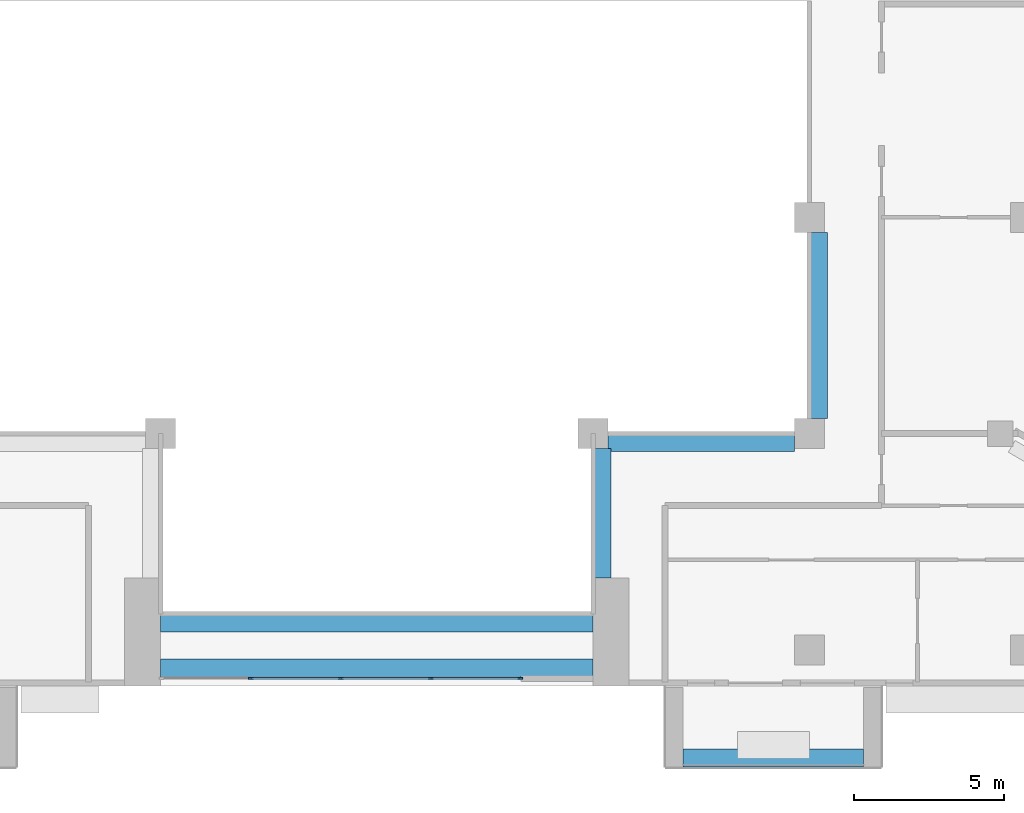
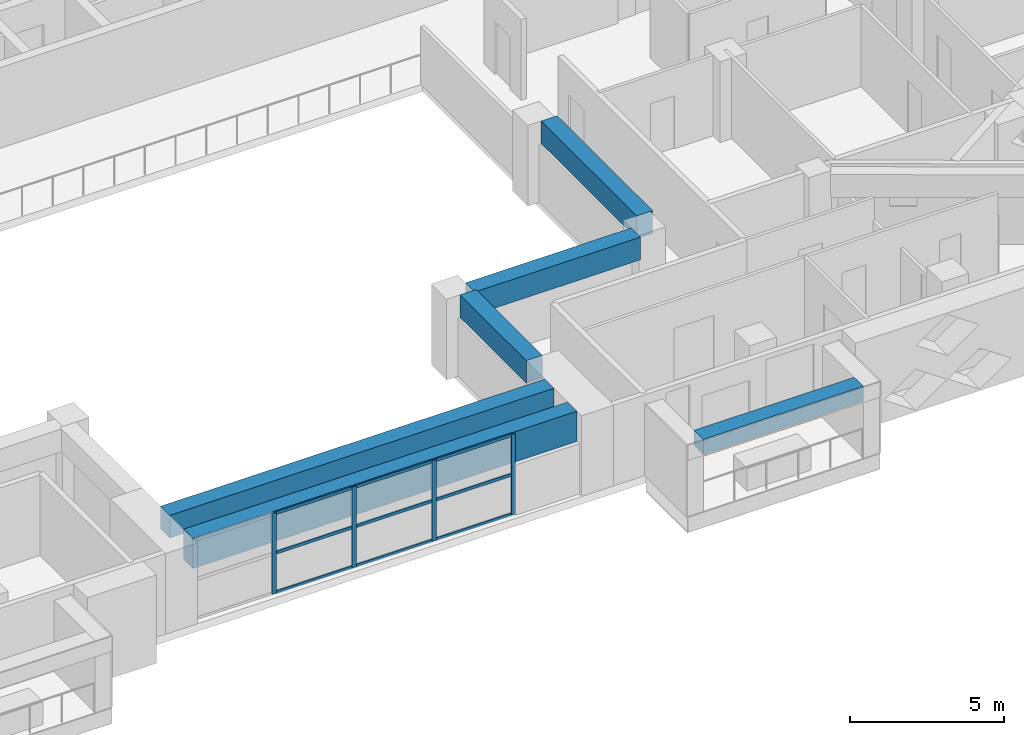
# One storey, part 4 of 20: 13 members, 6 beams, 1 element without a shape of its own.
"""IFC4 building model written with IfcOpenShell, lengths in metres."""

from ifc_helpers import new_model, si_unit, direction, frame, origin, origin_2d, place, context, subcontext, project, spatial, rectangle, extrude, source, transform, mapped, material, layer, layer_set, material_profile, profile_set, type_object, element, aggregate, save


model = new_model("IFC4")

# Units and contexts
model_context = context("Model", 3, precision=1e-05, world=origin(), true_north=direction((0.0, 1.0)))
body_context = subcontext(model_context, "Body", "Model", "MODEL_VIEW")
ifc_project = project(units=[si_unit("LENGTHUNIT", "METRE"), si_unit("AREAUNIT", "SQUARE_METRE"), si_unit("VOLUMEUNIT", "CUBIC_METRE"), si_unit("PLANEANGLEUNIT", "RADIAN"), si_unit("MASSUNIT", "GRAM", prefix="KILO")], contexts=[model_context])

# Site, building, storey
site_placement = place(None, origin())
site = spatial("IfcSite", under=ifc_project, at=site_placement, CompositionType="ELEMENT")
building_placement = place(site_placement, origin())
building = spatial("IfcBuilding", under=site, at=building_placement, Name="Saffron Iwan Residences", CompositionType="ELEMENT")
storey_placement = place(building_placement, frame((0.0, 0.0, 153.5)))
storey = spatial("IfcBuildingStorey", under=building, at=storey_placement, Name="L40", CompositionType="ELEMENT", Elevation=153.5)

# Beams
ifc_material_1 = material(Name="Concrete C50/60", Category="concrete")
ifc_material_profile_1 = material_profile(ifc_material_1, rectangle(XDim=0.60009765625, YDim=1.199951171875, at=origin_2d()), Name="RC 600x1200")
ifc_profile_set_1 = profile_set([ifc_material_profile_1], Name="Concrete C50/60")
beam_type_1 = type_object("IfcBeamType", Name="LINTEL BEAM RC 600x1200 C50/60 TOP 3200", PredefinedType="LINTEL", material=ifc_profile_set_1)
shared_shape_1 = source(origin(), body_context, "Body", "SweptSolid", [
    extrude(rectangle(XDim=0.60009765625, YDim=1.199951171875, at=origin_2d()), origin(), (0.0, 0.0, 1.0), 14.400146484375),
])
beam_1_placement = place(storey_placement, frame((57.60009765625, 40.199951171875, 2.60009765625), z_axis=(-1.0, 0.0, 0.0), x_axis=(0.0, -1.0, 0.0)))
element("IfcBeam", 1, at=beam_1_placement, inside=storey, type_object=beam_type_1, Name="Lintel beam over the iwan", PredefinedType="LINTEL", context=body_context, shape_type="MappedRepresentation", body=[
    mapped(shared_shape_1, transform((0.0, 0.0, 0.0))),
])
ifc_material_profile_2 = material_profile(ifc_material_1, rectangle(XDim=0.60009765625, YDim=0.89990234375, at=origin_2d()), Name="RC 600x900")
ifc_profile_set_2 = profile_set([ifc_material_profile_2], Name="Concrete C50/60")
beam_type_2 = type_object("IfcBeamType", Name="BEAM RC 600x900 C50/60 TOP 3200", PredefinedType="BEAM", material=ifc_profile_set_2)
shared_shape_2 = source(origin(), body_context, "Body", "SweptSolid", [
    extrude(rectangle(XDim=0.60009765625, YDim=0.89990234375, at=origin_2d()), origin(), (0.0, 0.0, 1.0), 14.400146484375),
])
beam_2_placement = place(storey_placement, frame((57.60009765625, 41.699951171875, 2.75), z_axis=(-1.0, 0.0, 0.0), x_axis=(0.0, -1.0, 0.0)))
element("IfcBeam", 2, at=beam_2_placement, inside=storey, type_object=beam_type_2, Name="Atrium edge beam", PredefinedType="BEAM", context=body_context, shape_type="MappedRepresentation", body=[
    mapped(shared_shape_2, transform((0.0, 0.0, 0.0))),
])
shared_shape_3 = source(origin(), body_context, "Body", "SweptSolid", [
    extrude(rectangle(XDim=0.60009765625, YDim=0.89990234375, at=origin_2d()), origin(), (0.0, 0.0, 1.0), 4.300048828125),
])
beam_3_placement = place(storey_placement, frame((57.89990234375, 47.5, 2.75), z_axis=(0.0, -1.0, 0.0), x_axis=(1.0, 0.0, 0.0)))
element("IfcBeam", 3, at=beam_3_placement, inside=storey, type_object=beam_type_2, Name="Atrium edge beam", PredefinedType="BEAM", context=body_context, shape_type="MappedRepresentation", body=[
    mapped(shared_shape_3, transform((0.0, 0.0, 0.0))),
])
shared_shape_4 = source(origin(), body_context, "Body", "SweptSolid", [
    extrude(rectangle(XDim=0.60009765625, YDim=0.89990234375, at=origin_2d()), origin(), (0.0, 0.0, 1.0), 6.199951171875),
])
for number, where, z_axis, x_axis, name in (
    (4, (64.300048828125, 47.699951171875, 2.75), (-1.0, 0.0, 0.0), (0.0, -1.0, 0.0), "Atrium edge beam"),
    (5, (65.10009765625, 54.699951171875, 2.75), (0.0, -1.0, 0.0), (1.0, 0.0, 0.0), "Atrium edge beam"),
):
    element("IfcBeam", number, at=place(storey_placement, frame(where, z_axis=z_axis, x_axis=x_axis)), inside=storey, type_object=beam_type_2, Name=name, PredefinedType="BEAM", context=body_context, shape_type="MappedRepresentation", body=[
        mapped(shared_shape_4, transform((0.0, 0.0, 0.0))),
    ])

# Curtain wall, members
ifc_material_2 = material(Name="Clear glass, laminated double glazed", Category="glass")
ifc_layer = layer(ifc_material_2, 0.199951171875)
ifc_layer_set = layer_set([ifc_layer], Name="Clear glass, laminated double glazed")
curtain_wall_type = type_object("IfcCurtainWallType", Name="CW-B IWAN PORTAL", PredefinedType="NOTDEFINED", material=ifc_layer_set)
curtain_wall_placement = place(storey_placement, origin())
curtain_wall = element("IfcCurtainWall", 6, at=curtain_wall_placement, inside=storey, type_object=curtain_wall_type, Name="Iwan portal glazing L40.1", PredefinedType="NOTDEFINED")
ifc_material_3 = material(Name="Aluminium 6063-T6", Category="aluminium")
ifc_material_profile_3 = material_profile(ifc_material_3, rectangle(XDim=0.06005859375, YDim=0.1201171875, at=origin_2d()), Name="CW-B TRANSOM 60 x 120")
ifc_profile_set_3 = profile_set([ifc_material_profile_3], Name="Aluminium 6063-T6")
member_type_1 = type_object("IfcMemberType", Name="CW-B TRANSOM 60 x 120", PredefinedType="USERDEFINED", material=ifc_profile_set_3)
shared_shape_5 = source(origin(), body_context, "Body", "SweptSolid", [
    extrude(rectangle(XDim=0.06005859375, YDim=0.1201171875, at=origin_2d()), origin(), (0.0, 0.0, 1.0), 2.909912109375),
])
member_1_placement = place(storey_placement, frame((52.22998046875, 39.85009765625, 0.030029296875), z_axis=(1.0, 0.0, 0.0), x_axis=(0.0, 1.0, 0.0)))
member_1 = element("IfcMember", 7, at=member_1_placement, type_object=member_type_1, Name="CW-B transom 4.1", ObjectType="TRANSOM", PredefinedType="USERDEFINED", context=body_context, shape_type="MappedRepresentation", body=[
    mapped(shared_shape_5, transform((0.0, 0.0, 0.0))),
])
member_2_placement = place(storey_placement, frame((52.22998046875, 39.85009765625, 1.60009765625), z_axis=(1.0, 0.0, 0.0), x_axis=(0.0, 1.0, 0.0)))
member_2 = element("IfcMember", 8, at=member_2_placement, type_object=member_type_1, Name="CW-B transom 4.2", ObjectType="TRANSOM", PredefinedType="USERDEFINED", context=body_context, shape_type="MappedRepresentation", body=[
    mapped(shared_shape_5, transform((0.0, 0.0, 0.0))),
])
member_3_placement = place(storey_placement, frame((52.22998046875, 39.85009765625, 3.169921875), z_axis=(1.0, 0.0, 0.0), x_axis=(0.0, 1.0, 0.0)))
member_3 = element("IfcMember", 9, at=member_3_placement, type_object=member_type_1, Name="CW-B transom 4.3", ObjectType="TRANSOM", PredefinedType="USERDEFINED", context=body_context, shape_type="MappedRepresentation", body=[
    mapped(shared_shape_5, transform((0.0, 0.0, 0.0))),
])
shared_shape_6 = source(origin(), body_context, "Body", "SweptSolid", [
    extrude(rectangle(XDim=0.06005859375, YDim=0.1201171875, at=origin_2d()), origin(), (0.0, 0.0, 1.0), 2.93994140625),
])
member_4_placement = place(storey_placement, frame((46.22998046875, 39.85009765625, 0.030029296875), z_axis=(1.0, 0.0, 0.0), x_axis=(0.0, 1.0, 0.0)))
member_4 = element("IfcMember", 10, at=member_4_placement, type_object=member_type_1, Name="CW-B transom 2.1", ObjectType="TRANSOM", PredefinedType="USERDEFINED", context=body_context, shape_type="MappedRepresentation", body=[
    mapped(shared_shape_6, transform((0.0, 0.0, 0.0))),
])
member_5_placement = place(storey_placement, frame((46.22998046875, 39.85009765625, 1.60009765625), z_axis=(1.0, 0.0, 0.0), x_axis=(0.0, 1.0, 0.0)))
member_5 = element("IfcMember", 11, at=member_5_placement, type_object=member_type_1, Name="CW-B transom 2.2", ObjectType="TRANSOM", PredefinedType="USERDEFINED", context=body_context, shape_type="MappedRepresentation", body=[
    mapped(shared_shape_6, transform((0.0, 0.0, 0.0))),
])
member_6_placement = place(storey_placement, frame((46.22998046875, 39.85009765625, 3.169921875), z_axis=(1.0, 0.0, 0.0), x_axis=(0.0, 1.0, 0.0)))
member_6 = element("IfcMember", 12, at=member_6_placement, type_object=member_type_1, Name="CW-B transom 2.3", ObjectType="TRANSOM", PredefinedType="USERDEFINED", context=body_context, shape_type="MappedRepresentation", body=[
    mapped(shared_shape_6, transform((0.0, 0.0, 0.0))),
])
member_7_placement = place(storey_placement, frame((49.22998046875, 39.85009765625, 0.030029296875), z_axis=(1.0, 0.0, 0.0), x_axis=(0.0, 1.0, 0.0)))
member_7 = element("IfcMember", 13, at=member_7_placement, type_object=member_type_1, Name="CW-B transom 3.1", ObjectType="TRANSOM", PredefinedType="USERDEFINED", context=body_context, shape_type="MappedRepresentation", body=[
    mapped(shared_shape_6, transform((0.0, 0.0, 0.0))),
])
member_8_placement = place(storey_placement, frame((49.22998046875, 39.85009765625, 1.60009765625), z_axis=(1.0, 0.0, 0.0), x_axis=(0.0, 1.0, 0.0)))
member_8 = element("IfcMember", 14, at=member_8_placement, type_object=member_type_1, Name="CW-B transom 3.2", ObjectType="TRANSOM", PredefinedType="USERDEFINED", context=body_context, shape_type="MappedRepresentation", body=[
    mapped(shared_shape_6, transform((0.0, 0.0, 0.0))),
])
member_9_placement = place(storey_placement, frame((49.22998046875, 39.85009765625, 3.169921875), z_axis=(1.0, 0.0, 0.0), x_axis=(0.0, 1.0, 0.0)))
member_9 = element("IfcMember", 15, at=member_9_placement, type_object=member_type_1, Name="CW-B transom 3.3", ObjectType="TRANSOM", PredefinedType="USERDEFINED", context=body_context, shape_type="MappedRepresentation", body=[
    mapped(shared_shape_6, transform((0.0, 0.0, 0.0))),
])

# Beam
ifc_material_4 = material(Name="Concrete C50/60 white painted", Category="concrete")
ifc_material_profile_4 = material_profile(ifc_material_4, rectangle(XDim=0.60009765625, YDim=0.60009765625, at=origin_2d()), Name="BALCONY FASCIA BEAM 600 x 600")
ifc_profile_set_4 = profile_set([ifc_material_profile_4], Name="Concrete C50/60 white painted")
beam_type_3 = type_object("IfcBeamType", Name="BALCONY FASCIA BEAM 600 x 600", PredefinedType="BEAM", material=ifc_profile_set_4)
shared_shape_7 = source(origin(), body_context, "Body", "SweptSolid", [
    extrude(rectangle(XDim=0.60009765625, YDim=0.60009765625, at=origin_2d()), origin(), (0.0, 0.0, 1.0), 6.0),
])
beam_4_placement = place(storey_placement, frame((60.60009765625, 37.199951171875, 2.550048828125), z_axis=(1.0, 0.0, 0.0), x_axis=(0.0, 1.0, 0.0)))
element("IfcBeam", 16, at=beam_4_placement, inside=storey, type_object=beam_type_3, Name="Balcony fascia beam L40 11-1", PredefinedType="BEAM", context=body_context, shape_type="MappedRepresentation", body=[
    mapped(shared_shape_7, transform((0.0, 0.0, 0.0))),
])

# Member
ifc_material_profile_5 = material_profile(ifc_material_3, rectangle(XDim=0.06005859375, YDim=0.159912109375, at=origin_2d()), Name="CW-B MULLION 60 x 160")
ifc_profile_set_5 = profile_set([ifc_material_profile_5], Name="Aluminium 6063-T6")
member_type_2 = type_object("IfcMemberType", Name="CW-B MULLION 60 x 160", PredefinedType="MULLION", material=ifc_profile_set_5)
shared_shape_8 = source(origin(), body_context, "Body", "SweptSolid", [
    extrude(rectangle(XDim=0.06005859375, YDim=0.159912109375, at=origin_2d()), origin(), (0.0, 0.0, 1.0), 3.199951171875),
])
member_10_placement = place(storey_placement, frame((46.199951171875, 39.85009765625, 0.0), z_axis=(0.0, 0.0, 1.0), x_axis=(0.0, 1.0, 0.0)))
member_10 = element("IfcMember", 17, at=member_10_placement, type_object=member_type_2, Name="CW-B mullion 2", PredefinedType="MULLION", context=body_context, shape_type="MappedRepresentation", body=[
    mapped(shared_shape_8, transform((0.0, 0.0, 0.0))),
])

member_11_placement = place(storey_placement, frame((49.199951171875, 39.85009765625, 0.0), z_axis=(0.0, 0.0, 1.0), x_axis=(0.0, 1.0, 0.0)))
member_11 = element("IfcMember", 18, at=member_11_placement, type_object=member_type_2, Name="CW-B mullion 3", PredefinedType="MULLION", context=body_context, shape_type="MappedRepresentation", body=[
    mapped(shared_shape_8, transform((0.0, 0.0, 0.0))),
])

member_12_placement = place(storey_placement, frame((52.199951171875, 39.85009765625, 0.0), z_axis=(0.0, 0.0, 1.0), x_axis=(0.0, 1.0, 0.0)))
member_12 = element("IfcMember", 19, at=member_12_placement, type_object=member_type_2, Name="CW-B mullion 4", PredefinedType="MULLION", context=body_context, shape_type="MappedRepresentation", body=[
    mapped(shared_shape_8, transform((0.0, 0.0, 0.0))),
])

member_13_placement = place(storey_placement, frame((55.169921875, 39.85009765625, 0.0), z_axis=(0.0, 0.0, 1.0), x_axis=(0.0, 1.0, 0.0)))
member_13 = element("IfcMember", 20, at=member_13_placement, type_object=member_type_2, Name="CW-B mullion 5", PredefinedType="MULLION", context=body_context, shape_type="MappedRepresentation", body=[
    mapped(shared_shape_8, transform((0.0, 0.0, 0.0))),
])

aggregate(curtain_wall, [member_10, member_11, member_12, member_13, member_4, member_5, member_6, member_7, member_8, member_9, member_1, member_2, member_3])

save(model, "model.ifc")
